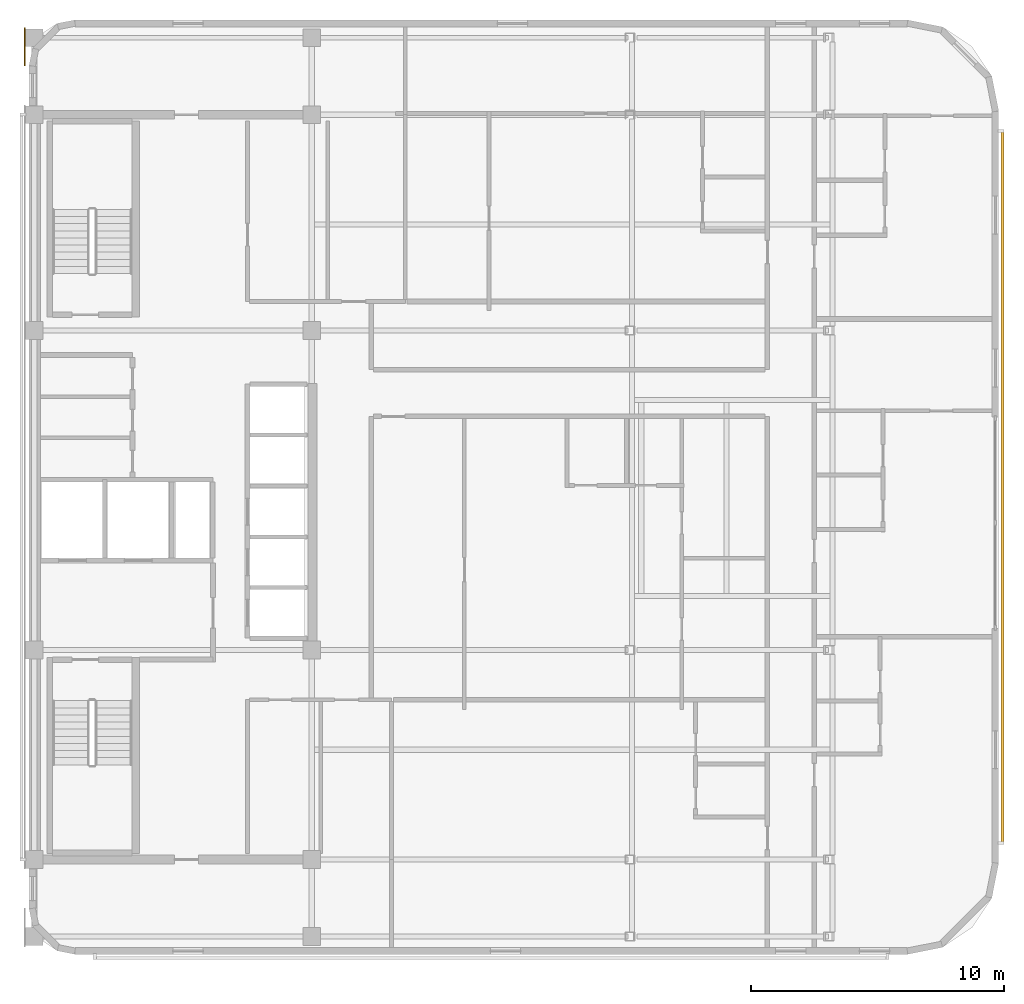
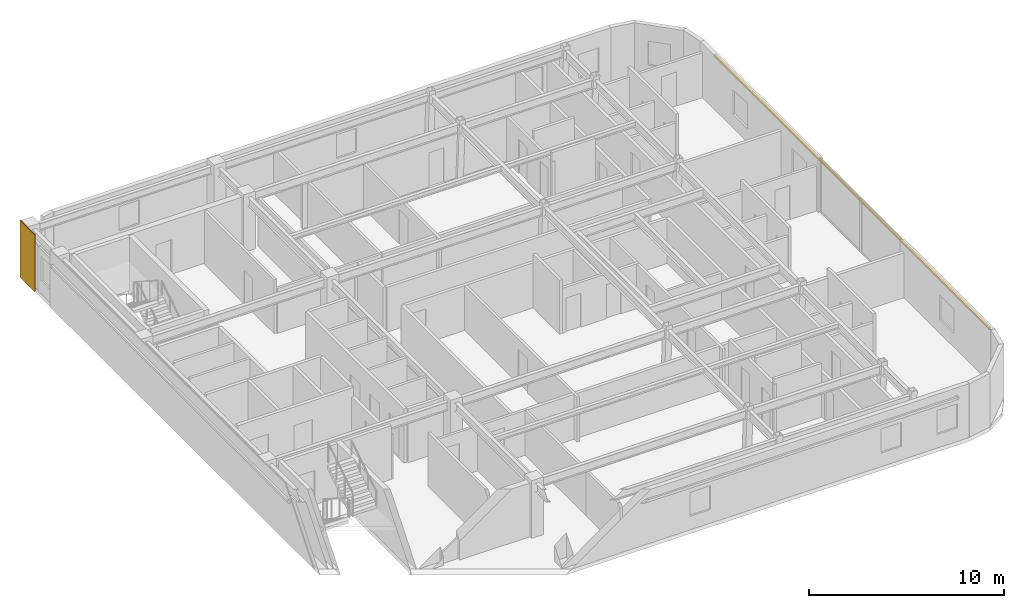
# One storey, part 10 of 10: 1 covering, 1 shading device.
"""IFC4 building model written with IfcOpenShell, lengths in metres."""

from ifc_helpers import new_model, si_unit, direction, frame, origin, origin_2d, place, context, subcontext, project, spatial, rectangle, extrude, material, layer, layer_set, material_profile, profile_set, type_object, element, save


model = new_model("IFC4")

# Units and contexts
model_context = context("Model", 3, precision=1e-05, world=origin(), true_north=direction((0.0, 1.0)))
body_context = subcontext(model_context, "Body", "Model", "MODEL_VIEW")
ifc_project = project(units=[si_unit("LENGTHUNIT", "METRE"), si_unit("AREAUNIT", "SQUARE_METRE"), si_unit("VOLUMEUNIT", "CUBIC_METRE"), si_unit("PLANEANGLEUNIT", "RADIAN"), si_unit("MASSUNIT", "GRAM", prefix="KILO")], contexts=[model_context])

# Site, building, storey
site_placement = place(None, origin())
site = spatial("IfcSite", under=ifc_project, at=site_placement, CompositionType="ELEMENT")
building_placement = place(site_placement, origin())
building = spatial("IfcBuilding", under=site, at=building_placement, Name="Ochreholt Gables", CompositionType="ELEMENT")
storey_placement = place(building_placement, frame((0.0, 0.0, 223.800048828125)))
storey = spatial("IfcBuildingStorey", under=building, at=storey_placement, Name="L58", CompositionType="ELEMENT", Elevation=223.800048828125)

# Covering
ifc_material_1 = material(Name="Glazed Ochre Terracotta Rainscreen Cladding", Category="masonry")
ifc_layer = layer(ifc_material_1, 0.044921875, Name="Glazed Ochre Terracotta Rainscreen Cladding")
ifc_layer_set = layer_set([ifc_layer], Name="Glazed Ochre Terracotta Rainscreen Cladding")
covering_type = type_object("IfcCoveringType", Name="COV-CLAD-TC", PredefinedType="CLADDING", material=ifc_layer_set)
covering_placement = place(storey_placement, frame((23.827880859375, 41.43994140625, 0.010009765625), z_axis=(0.0, 0.0, 1.0), x_axis=(0.0, 1.0, 0.0)))
element("IfcCovering", 1, at=covering_placement, inside=storey, type_object=covering_type, Name="L58 North-West Pier Terracotta Cladding", PredefinedType="CLADDING", context=body_context, shape_type="SweptSolid", body=[
    extrude(rectangle(XDim=1.52001953125, YDim=0.044921875, at=origin_2d()), origin(), (0.0, 0.0, 1.0), 3.580078125),
])

# Shading device
ifc_material_2 = material(Name="Warm Ochre Glazed Terracotta Baguette", Category="masonry")
ifc_material_profile = material_profile(ifc_material_2, rectangle(XDim=0.110107421875, YDim=0.14990234375, at=origin_2d()), Name="TCBAG110X150")
ifc_profile_set = profile_set([ifc_material_profile], Name="Warm Ochre Glazed Terracotta Baguette")
shading_device_type = type_object("IfcShadingDeviceType", Name="SHD-BAGUETTE", PredefinedType="USERDEFINED", material=ifc_profile_set)
shading_device_placement = place(storey_placement, frame((62.550048828125, 9.89990234375, 2.83984375), z_axis=(0.0, 1.0, 0.0), x_axis=(-1.0, 0.0, 0.0)))
element("IfcShadingDevice", 2, at=shading_device_placement, inside=storey, type_object=shading_device_type, Name="L58 Terracotta Baguette Screen E-1", ObjectType="BAGUETTE", PredefinedType="USERDEFINED", context=body_context, shape_type="SweptSolid", body=[
    extrude(rectangle(XDim=0.110107421875, YDim=0.14990234375, at=origin_2d()), origin(), (0.0, 0.0, 1.0), 28.2001953125),
])

save(model, "model.ifc")
